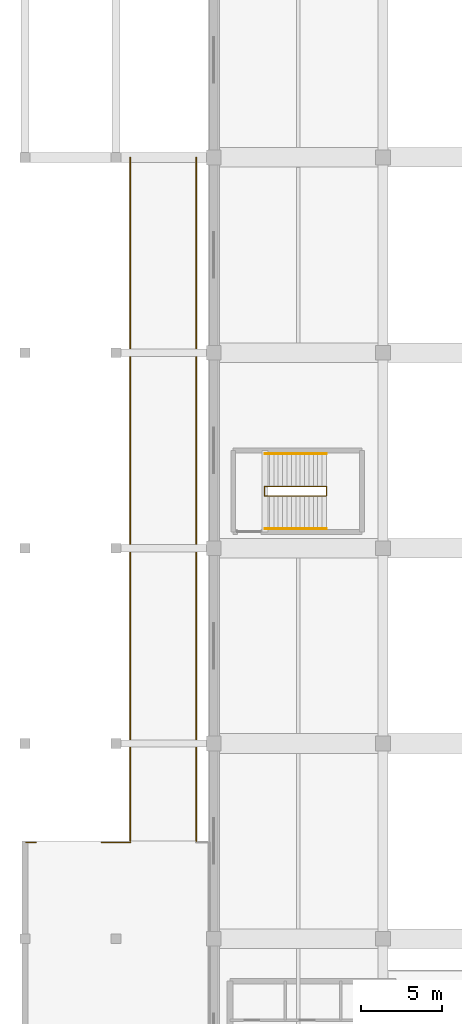
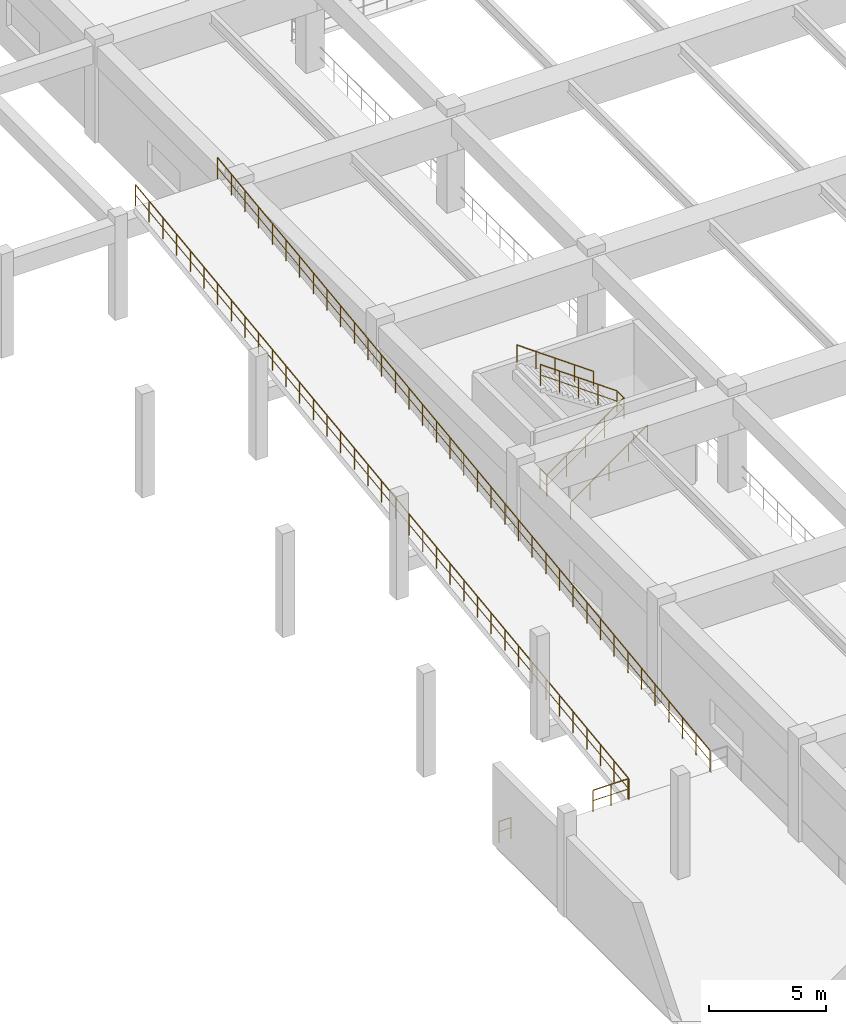
# One storey, part 190 of 197: 8 railings.
"""IFC4 building model written with IfcOpenShell, lengths in metres."""

from ifc_helpers import new_model, si_unit, derived_unit, direction, frame, origin, origin_2d, place, context, subcontext, project, spatial, circle, extrude, material, type_object, element, save


model = new_model("IFC4")

# Units and contexts
model_context = context("Model", 3, precision=1e-05, world=origin(), true_north=direction((0.0, 1.0)))
body_context = subcontext(model_context, "Body", "Model", "MODEL_VIEW")
ifc_project = project(units=[si_unit("LENGTHUNIT", "METRE"), si_unit("AREAUNIT", "SQUARE_METRE"), si_unit("VOLUMEUNIT", "CUBIC_METRE"), si_unit("PLANEANGLEUNIT", "RADIAN"), si_unit("MASSUNIT", "GRAM", prefix="KILO"), derived_unit("THERMALTRANSMITTANCEUNIT", [(si_unit("POWERUNIT", "WATT"), 1), (si_unit("LENGTHUNIT", "METRE"), -2), (si_unit("THERMODYNAMICTEMPERATUREUNIT", "KELVIN"), -1)])], contexts=[model_context])

# Site, building, storey
site_placement = place(None, origin())
site = spatial("IfcSite", under=ifc_project, at=site_placement, CompositionType="ELEMENT")
building_placement = place(site_placement, origin())
building = spatial("IfcBuilding", under=site, at=building_placement, Name="Almenara Railside Exhibition Hall", CompositionType="ELEMENT")
storey_placement = place(building_placement, frame((0.0, 0.0, 5.39990234375)))
storey = spatial("IfcBuildingStorey", under=building, at=storey_placement, Name="L01", CompositionType="ELEMENT", Elevation=5.39990234375)

# Railings
ifc_material_1 = material(Name="Bronze-finished tubular steel handrail", Category="steel")
railing_type_1 = type_object("IfcRailingType", Name="Stair Pitch Handrail 920mm", PredefinedType="HANDRAIL", material=ifc_material_1)
railing_1_placement = place(storey_placement, frame((15.14990234375, 85.199951171875, 0.0)))
element("IfcRailing", 1, at=railing_1_placement, inside=storey, type_object=railing_type_1, Name="HR-L01-0089", PredefinedType="HANDRAIL", context=body_context, shape_type="SweptSolid", body=[
    extrude(circle(Radius=0.02392578125, at=origin_2d()), frame((0.0, 0.0, 0.89599609375), z_axis=(0.813715715614, 0.0, 0.581263050746), x_axis=(0.0, 1.0, 0.0)), (0.0, 0.0, 1.0), 4.6455078125),
    extrude(circle(Radius=0.02099609375, at=origin_2d()), origin(), (0.0, 0.0, 1.0), 0.871826171875),
    extrude(circle(Radius=0.02099609375, at=origin_2d()), frame((0.945068359375, 0.0, 0.675048828125)), (0.0, 0.0, 1.0), 0.871826171875),
    extrude(circle(Radius=0.02099609375, at=origin_2d()), frame((1.89013671875, 0.0, 1.35009765625)), (0.0, 0.0, 1.0), 0.871826171875),
    extrude(circle(Radius=0.02099609375, at=origin_2d()), frame((2.8349609375, 0.0, 2.025146484375)), (0.0, 0.0, 1.0), 0.871826171875),
    extrude(circle(Radius=0.02099609375, at=origin_2d()), frame((3.780029296875, 0.0, 2.7001953125)), (0.0, 0.0, 1.0), 0.871826171875),
])
railing_2_placement = place(storey_placement, frame((18.929931640625, 89.800048828125, 2.7001953125)))
element("IfcRailing", 2, at=railing_2_placement, inside=storey, type_object=railing_type_1, Name="HR-L01-0090", PredefinedType="HANDRAIL", context=body_context, shape_type="SweptSolid", body=[
    extrude(circle(Radius=0.02392578125, at=origin_2d()), frame((0.0, 0.0, 0.89599609375), z_axis=(-0.813740573448, 0.0, 0.581228250453), x_axis=(0.0, -1.0, 0.0)), (0.0, 0.0, 1.0), 4.645263671875),
    extrude(circle(Radius=0.02099609375, at=origin_2d()), origin(), (0.0, 0.0, 1.0), 0.871826171875),
    extrude(circle(Radius=0.02099609375, at=origin_2d()), frame((-0.945068359375, 0.0, 0.675048828125)), (0.0, 0.0, 1.0), 0.871826171875),
    extrude(circle(Radius=0.02099609375, at=origin_2d()), frame((-1.89013671875, 0.0, 1.35009765625)), (0.0, 0.0, 1.0), 0.871826171875),
    extrude(circle(Radius=0.02099609375, at=origin_2d()), frame((-2.8349609375, 0.0, 2.02490234375)), (0.0, 0.0, 1.0), 0.871826171875),
    extrude(circle(Radius=0.02099609375, at=origin_2d()), frame((-3.780029296875, 0.0, 2.699951171875)), (0.0, 0.0, 1.0), 0.871826171875),
])
ifc_material_2 = material(Name="Dark wrought-iron stair balustrade")
railing_type_2 = type_object("IfcRailingType", Name="Stair Well Guard Rail 1120mm", PredefinedType="BALUSTRADE", material=ifc_material_2)
railing_3_placement = place(storey_placement, frame((15.1201171875, 87.2099609375, 0.0)))
element("IfcRailing", 3, at=railing_3_placement, inside=storey, type_object=railing_type_2, Name="SG-L01-0088", PredefinedType="BALUSTRADE", context=body_context, shape_type="SweptSolid", body=[
    extrude(circle(Radius=0.02392578125, at=origin_2d()), frame((0.0, 0.0, 1.09619140625), z_axis=(0.0, 1.0, 0.0), x_axis=(-1.0, 0.0, 0.0)), (0.0, 0.0, 1.0), 0.580078125),
    extrude(circle(Radius=0.01416015625, at=origin_2d()), frame((0.0, 0.0, 0.56005859375), z_axis=(0.0, 1.0, 0.0), x_axis=(-1.0, 0.0, 0.0)), (0.0, 0.0, 1.0), 0.580078125),
    extrude(circle(Radius=0.02099609375, at=origin_2d()), origin(), (0.0, 0.0, 1.0), 1.072021484375),
    extrude(circle(Radius=0.02099609375, at=origin_2d()), frame((0.0, 0.580078125, 0.0)), (0.0, 0.0, 1.0), 1.072021484375),
])
railing_4_placement = place(storey_placement, frame((15.14990234375, 87.2099609375, 0.0)))
element("IfcRailing", 4, at=railing_4_placement, inside=storey, type_object=railing_type_2, Name="SG-L01-0091", PredefinedType="BALUSTRADE", context=body_context, shape_type="SweptSolid", body=[
    extrude(circle(Radius=0.02392578125, at=origin_2d()), frame((0.0, 0.0, 1.09619140625), z_axis=(0.813715715614, 0.0, 0.581263050746), x_axis=(0.0, 1.0, 0.0)), (0.0, 0.0, 1.0), 4.6455078125),
    extrude(circle(Radius=0.01416015625, at=origin_2d()), frame((0.0, 0.0, 0.56005859375), z_axis=(0.813715715614, 0.0, 0.581263050746), x_axis=(0.0, 1.0, 0.0)), (0.0, 0.0, 1.0), 4.6455078125),
    extrude(circle(Radius=0.02392578125, at=origin_2d()), frame((3.780029296875, 0.0, 3.79638671875), z_axis=(0.0, 1.0, 0.0), x_axis=(-1.0, 0.0, 0.0)), (0.0, 0.0, 1.0), 0.580078125),
    extrude(circle(Radius=0.01416015625, at=origin_2d()), frame((3.780029296875, 0.0, 3.26025390625), z_axis=(0.0, 1.0, 0.0), x_axis=(-1.0, 0.0, 0.0)), (0.0, 0.0, 1.0), 0.580078125),
    extrude(circle(Radius=0.02392578125, at=origin_2d()), frame((3.780029296875, 0.580078125, 3.79638671875), z_axis=(-0.813740573448, 0.0, 0.581228250453), x_axis=(0.0, -1.0, 0.0)), (0.0, 0.0, 1.0), 4.645263671875),
    extrude(circle(Radius=0.01416015625, at=origin_2d()), frame((3.780029296875, 0.580078125, 3.26025390625), z_axis=(-0.813740573448, 0.0, 0.581228250453), x_axis=(0.0, -1.0, 0.0)), (0.0, 0.0, 1.0), 4.645263671875),
    extrude(circle(Radius=0.02099609375, at=origin_2d()), origin(), (0.0, 0.0, 1.0), 1.072021484375),
    extrude(circle(Radius=0.02099609375, at=origin_2d()), frame((0.945068359375, 0.0, 0.675048828125)), (0.0, 0.0, 1.0), 1.072021484375),
    extrude(circle(Radius=0.02099609375, at=origin_2d()), frame((1.89013671875, 0.0, 1.35009765625)), (0.0, 0.0, 1.0), 1.072021484375),
    extrude(circle(Radius=0.02099609375, at=origin_2d()), frame((2.8349609375, 0.0, 2.025146484375)), (0.0, 0.0, 1.0), 1.072021484375),
    extrude(circle(Radius=0.02099609375, at=origin_2d()), frame((3.780029296875, 0.0, 2.7001953125)), (0.0, 0.0, 1.0), 1.072021484375),
    extrude(circle(Radius=0.02099609375, at=origin_2d()), frame((3.780029296875, 0.580078125, 2.7001953125)), (0.0, 0.0, 1.0), 1.072021484375),
    extrude(circle(Radius=0.02099609375, at=origin_2d()), frame((2.8349609375, 0.580078125, 3.375244140625)), (0.0, 0.0, 1.0), 1.072021484375),
    extrude(circle(Radius=0.02099609375, at=origin_2d()), frame((1.89013671875, 0.580078125, 4.05029296875)), (0.0, 0.0, 1.0), 1.072021484375),
    extrude(circle(Radius=0.02099609375, at=origin_2d()), frame((0.945068359375, 0.580078125, 4.72509765625)), (0.0, 0.0, 1.0), 1.072021484375),
    extrude(circle(Radius=0.02099609375, at=origin_2d()), frame((0.0, 0.580078125, 5.400146484375)), (0.0, 0.0, 1.0), 1.072021484375),
])
ifc_material_3 = material(Name="Dark wrought-iron architectural balustrade")
railing_type_3 = type_object("IfcRailingType", Name="Wrought-Iron Rejas Terrace Balustrade 1120mm", PredefinedType="BALUSTRADE", material=ifc_material_3)
railing_5_placement = place(storey_placement, frame((6.8798828125, 66.0, 0.0)))
element("IfcRailing", 5, at=railing_5_placement, inside=storey, type_object=railing_type_3, Name="Guard balustrade 0008", PredefinedType="BALUSTRADE", context=body_context, shape_type="SweptSolid", body=[
    extrude(circle(Radius=0.02392578125, at=origin_2d()), frame((0.0, 0.0, 1.09619140625), z_axis=(0.0, 0.991835337774, 0.127525145532), x_axis=(-1.0, 0.0, 0.0)), (0.0, 0.0, 1.0), 42.345703125),
    extrude(circle(Radius=0.01416015625, at=origin_2d()), frame((0.0, 0.0, 0.56005859375), z_axis=(0.0, 0.991835337774, 0.127525145532), x_axis=(-1.0, 0.0, 0.0)), (0.0, 0.0, 1.0), 42.345703125),
    extrude(circle(Radius=0.02099609375, at=origin_2d()), origin(), (0.0, 0.0, 1.0), 1.072021484375),
    extrude(circle(Radius=0.02099609375, at=origin_2d()), frame((0.0, 1.166748046875, 0.14990234375)), (0.0, 0.0, 1.0), 1.072021484375),
    extrude(circle(Radius=0.02099609375, at=origin_2d()), frame((0.0, 2.333251953125, 0.300048828125)), (0.0, 0.0, 1.0), 1.072021484375),
    extrude(circle(Radius=0.02099609375, at=origin_2d()), frame((0.0, 3.5, 0.449951171875)), (0.0, 0.0, 1.0), 1.072021484375),
    extrude(circle(Radius=0.02099609375, at=origin_2d()), frame((0.0, 4.666748046875, 0.60009765625)), (0.0, 0.0, 1.0), 1.072021484375),
    extrude(circle(Radius=0.02099609375, at=origin_2d()), frame((0.0, 5.833251953125, 0.75)), (0.0, 0.0, 1.0), 1.072021484375),
    extrude(circle(Radius=0.02099609375, at=origin_2d()), frame((0.0, 7.0, 0.89990234375)), (0.0, 0.0, 1.0), 1.072021484375),
    extrude(circle(Radius=0.02099609375, at=origin_2d()), frame((0.0, 8.166748046875, 1.050048828125)), (0.0, 0.0, 1.0), 1.072021484375),
    extrude(circle(Radius=0.02099609375, at=origin_2d()), frame((0.0, 9.333251953125, 1.199951171875)), (0.0, 0.0, 1.0), 1.072021484375),
    extrude(circle(Radius=0.02099609375, at=origin_2d()), frame((0.0, 10.5, 1.35009765625)), (0.0, 0.0, 1.0), 1.072021484375),
    extrude(circle(Radius=0.02099609375, at=origin_2d()), frame((0.0, 11.666748046875, 1.5)), (0.0, 0.0, 1.0), 1.072021484375),
    extrude(circle(Radius=0.02099609375, at=origin_2d()), frame((0.0, 12.833251953125, 1.650146484375)), (0.0, 0.0, 1.0), 1.072021484375),
    extrude(circle(Radius=0.02099609375, at=origin_2d()), frame((0.0, 14.0, 1.800048828125)), (0.0, 0.0, 1.0), 1.072021484375),
    extrude(circle(Radius=0.02099609375, at=origin_2d()), frame((0.0, 15.166748046875, 1.949951171875)), (0.0, 0.0, 1.0), 1.072021484375),
    extrude(circle(Radius=0.02099609375, at=origin_2d()), frame((0.0, 16.333251953125, 2.10009765625)), (0.0, 0.0, 1.0), 1.072021484375),
    extrude(circle(Radius=0.02099609375, at=origin_2d()), frame((0.0, 17.5, 2.25)), (0.0, 0.0, 1.0), 1.072021484375),
    extrude(circle(Radius=0.02099609375, at=origin_2d()), frame((0.0, 18.666748046875, 2.400146484375)), (0.0, 0.0, 1.0), 1.072021484375),
    extrude(circle(Radius=0.02099609375, at=origin_2d()), frame((0.0, 19.833251953125, 2.550048828125)), (0.0, 0.0, 1.0), 1.072021484375),
    extrude(circle(Radius=0.02099609375, at=origin_2d()), frame((0.0, 21.0, 2.7001953125)), (0.0, 0.0, 1.0), 1.072021484375),
    extrude(circle(Radius=0.02099609375, at=origin_2d()), frame((0.0, 22.166748046875, 2.85009765625)), (0.0, 0.0, 1.0), 1.072021484375),
    extrude(circle(Radius=0.02099609375, at=origin_2d()), frame((0.0, 23.333251953125, 3.0)), (0.0, 0.0, 1.0), 1.072021484375),
    extrude(circle(Radius=0.02099609375, at=origin_2d()), frame((0.0, 24.5, 3.150146484375)), (0.0, 0.0, 1.0), 1.072021484375),
    extrude(circle(Radius=0.02099609375, at=origin_2d()), frame((0.0, 25.666748046875, 3.300048828125)), (0.0, 0.0, 1.0), 1.072021484375),
    extrude(circle(Radius=0.02099609375, at=origin_2d()), frame((0.0, 26.833251953125, 3.4501953125)), (0.0, 0.0, 1.0), 1.072021484375),
    extrude(circle(Radius=0.02099609375, at=origin_2d()), frame((0.0, 28.0, 3.60009765625)), (0.0, 0.0, 1.0), 1.072021484375),
    extrude(circle(Radius=0.02099609375, at=origin_2d()), frame((0.0, 29.166748046875, 3.75)), (0.0, 0.0, 1.0), 1.072021484375),
    extrude(circle(Radius=0.02099609375, at=origin_2d()), frame((0.0, 30.333251953125, 3.900146484375)), (0.0, 0.0, 1.0), 1.072021484375),
    extrude(circle(Radius=0.02099609375, at=origin_2d()), frame((0.0, 31.5, 4.050048828125)), (0.0, 0.0, 1.0), 1.072021484375),
    extrude(circle(Radius=0.02099609375, at=origin_2d()), frame((0.0, 32.666748046875, 4.2001953125)), (0.0, 0.0, 1.0), 1.072021484375),
    extrude(circle(Radius=0.02099609375, at=origin_2d()), frame((0.0, 33.833251953125, 4.35009765625)), (0.0, 0.0, 1.0), 1.072021484375),
    extrude(circle(Radius=0.02099609375, at=origin_2d()), frame((0.0, 35.0, 4.5)), (0.0, 0.0, 1.0), 1.072021484375),
    extrude(circle(Radius=0.02099609375, at=origin_2d()), frame((0.0, 36.166748046875, 4.650146484375)), (0.0, 0.0, 1.0), 1.072021484375),
    extrude(circle(Radius=0.02099609375, at=origin_2d()), frame((0.0, 37.333251953125, 4.800048828125)), (0.0, 0.0, 1.0), 1.072021484375),
    extrude(circle(Radius=0.02099609375, at=origin_2d()), frame((0.0, 38.5, 4.9501953125)), (0.0, 0.0, 1.0), 1.072021484375),
    extrude(circle(Radius=0.02099609375, at=origin_2d()), frame((0.0, 39.666748046875, 5.10009765625)), (0.0, 0.0, 1.0), 1.072021484375),
    extrude(circle(Radius=0.02099609375, at=origin_2d()), frame((0.0, 40.833251953125, 5.250244140625)), (0.0, 0.0, 1.0), 1.072021484375),
    extrude(circle(Radius=0.02099609375, at=origin_2d()), frame((0.0, 42.0, 5.400146484375)), (0.0, 0.0, 1.0), 1.072021484375),
])
railing_6_placement = place(storey_placement, frame((10.919921875, 66.0, 0.0)))
element("IfcRailing", 6, at=railing_6_placement, inside=storey, type_object=railing_type_3, Name="Guard balustrade 0009", PredefinedType="BALUSTRADE", context=body_context, shape_type="SweptSolid", body=[
    extrude(circle(Radius=0.02392578125, at=origin_2d()), frame((0.0, 0.0, 1.09619140625), z_axis=(0.0, 0.991835337774, 0.127525145532), x_axis=(-1.0, 0.0, 0.0)), (0.0, 0.0, 1.0), 42.345703125),
    extrude(circle(Radius=0.01416015625, at=origin_2d()), frame((0.0, 0.0, 0.56005859375), z_axis=(0.0, 0.991835337774, 0.127525145532), x_axis=(-1.0, 0.0, 0.0)), (0.0, 0.0, 1.0), 42.345703125),
    extrude(circle(Radius=0.02099609375, at=origin_2d()), origin(), (0.0, 0.0, 1.0), 1.072021484375),
    extrude(circle(Radius=0.02099609375, at=origin_2d()), frame((0.0, 1.166748046875, 0.14990234375)), (0.0, 0.0, 1.0), 1.072021484375),
    extrude(circle(Radius=0.02099609375, at=origin_2d()), frame((0.0, 2.333251953125, 0.300048828125)), (0.0, 0.0, 1.0), 1.072021484375),
    extrude(circle(Radius=0.02099609375, at=origin_2d()), frame((0.0, 3.5, 0.449951171875)), (0.0, 0.0, 1.0), 1.072021484375),
    extrude(circle(Radius=0.02099609375, at=origin_2d()), frame((0.0, 4.666748046875, 0.60009765625)), (0.0, 0.0, 1.0), 1.072021484375),
    extrude(circle(Radius=0.02099609375, at=origin_2d()), frame((0.0, 5.833251953125, 0.75)), (0.0, 0.0, 1.0), 1.072021484375),
    extrude(circle(Radius=0.02099609375, at=origin_2d()), frame((0.0, 7.0, 0.89990234375)), (0.0, 0.0, 1.0), 1.072021484375),
    extrude(circle(Radius=0.02099609375, at=origin_2d()), frame((0.0, 8.166748046875, 1.050048828125)), (0.0, 0.0, 1.0), 1.072021484375),
    extrude(circle(Radius=0.02099609375, at=origin_2d()), frame((0.0, 9.333251953125, 1.199951171875)), (0.0, 0.0, 1.0), 1.072021484375),
    extrude(circle(Radius=0.02099609375, at=origin_2d()), frame((0.0, 10.5, 1.35009765625)), (0.0, 0.0, 1.0), 1.072021484375),
    extrude(circle(Radius=0.02099609375, at=origin_2d()), frame((0.0, 11.666748046875, 1.5)), (0.0, 0.0, 1.0), 1.072021484375),
    extrude(circle(Radius=0.02099609375, at=origin_2d()), frame((0.0, 12.833251953125, 1.650146484375)), (0.0, 0.0, 1.0), 1.072021484375),
    extrude(circle(Radius=0.02099609375, at=origin_2d()), frame((0.0, 14.0, 1.800048828125)), (0.0, 0.0, 1.0), 1.072021484375),
    extrude(circle(Radius=0.02099609375, at=origin_2d()), frame((0.0, 15.166748046875, 1.949951171875)), (0.0, 0.0, 1.0), 1.072021484375),
    extrude(circle(Radius=0.02099609375, at=origin_2d()), frame((0.0, 16.333251953125, 2.10009765625)), (0.0, 0.0, 1.0), 1.072021484375),
    extrude(circle(Radius=0.02099609375, at=origin_2d()), frame((0.0, 17.5, 2.25)), (0.0, 0.0, 1.0), 1.072021484375),
    extrude(circle(Radius=0.02099609375, at=origin_2d()), frame((0.0, 18.666748046875, 2.400146484375)), (0.0, 0.0, 1.0), 1.072021484375),
    extrude(circle(Radius=0.02099609375, at=origin_2d()), frame((0.0, 19.833251953125, 2.550048828125)), (0.0, 0.0, 1.0), 1.072021484375),
    extrude(circle(Radius=0.02099609375, at=origin_2d()), frame((0.0, 21.0, 2.7001953125)), (0.0, 0.0, 1.0), 1.072021484375),
    extrude(circle(Radius=0.02099609375, at=origin_2d()), frame((0.0, 22.166748046875, 2.85009765625)), (0.0, 0.0, 1.0), 1.072021484375),
    extrude(circle(Radius=0.02099609375, at=origin_2d()), frame((0.0, 23.333251953125, 3.0)), (0.0, 0.0, 1.0), 1.072021484375),
    extrude(circle(Radius=0.02099609375, at=origin_2d()), frame((0.0, 24.5, 3.150146484375)), (0.0, 0.0, 1.0), 1.072021484375),
    extrude(circle(Radius=0.02099609375, at=origin_2d()), frame((0.0, 25.666748046875, 3.300048828125)), (0.0, 0.0, 1.0), 1.072021484375),
    extrude(circle(Radius=0.02099609375, at=origin_2d()), frame((0.0, 26.833251953125, 3.4501953125)), (0.0, 0.0, 1.0), 1.072021484375),
    extrude(circle(Radius=0.02099609375, at=origin_2d()), frame((0.0, 28.0, 3.60009765625)), (0.0, 0.0, 1.0), 1.072021484375),
    extrude(circle(Radius=0.02099609375, at=origin_2d()), frame((0.0, 29.166748046875, 3.75)), (0.0, 0.0, 1.0), 1.072021484375),
    extrude(circle(Radius=0.02099609375, at=origin_2d()), frame((0.0, 30.333251953125, 3.900146484375)), (0.0, 0.0, 1.0), 1.072021484375),
    extrude(circle(Radius=0.02099609375, at=origin_2d()), frame((0.0, 31.5, 4.050048828125)), (0.0, 0.0, 1.0), 1.072021484375),
    extrude(circle(Radius=0.02099609375, at=origin_2d()), frame((0.0, 32.666748046875, 4.2001953125)), (0.0, 0.0, 1.0), 1.072021484375),
    extrude(circle(Radius=0.02099609375, at=origin_2d()), frame((0.0, 33.833251953125, 4.35009765625)), (0.0, 0.0, 1.0), 1.072021484375),
    extrude(circle(Radius=0.02099609375, at=origin_2d()), frame((0.0, 35.0, 4.5)), (0.0, 0.0, 1.0), 1.072021484375),
    extrude(circle(Radius=0.02099609375, at=origin_2d()), frame((0.0, 36.166748046875, 4.650146484375)), (0.0, 0.0, 1.0), 1.072021484375),
    extrude(circle(Radius=0.02099609375, at=origin_2d()), frame((0.0, 37.333251953125, 4.800048828125)), (0.0, 0.0, 1.0), 1.072021484375),
    extrude(circle(Radius=0.02099609375, at=origin_2d()), frame((0.0, 38.5, 4.9501953125)), (0.0, 0.0, 1.0), 1.072021484375),
    extrude(circle(Radius=0.02099609375, at=origin_2d()), frame((0.0, 39.666748046875, 5.10009765625)), (0.0, 0.0, 1.0), 1.072021484375),
    extrude(circle(Radius=0.02099609375, at=origin_2d()), frame((0.0, 40.833251953125, 5.250244140625)), (0.0, 0.0, 1.0), 1.072021484375),
    extrude(circle(Radius=0.02099609375, at=origin_2d()), frame((0.0, 42.0, 5.400146484375)), (0.0, 0.0, 1.0), 1.072021484375),
])
railing_7_placement = place(storey_placement, frame((0.47998046875, 65.919921875, 0.0)))
element("IfcRailing", 7, at=railing_7_placement, inside=storey, type_object=railing_type_3, Name="Guard balustrade 0010", PredefinedType="BALUSTRADE", context=body_context, shape_type="SweptSolid", body=[
    extrude(circle(Radius=0.02392578125, at=origin_2d()), frame((0.0, 0.0, 1.09619140625), z_axis=(1.0, 0.0, 0.0), x_axis=(0.0, 1.0, 0.0)), (0.0, 0.0, 1.0), 0.60009765625),
    extrude(circle(Radius=0.01416015625, at=origin_2d()), frame((0.0, 0.0, 0.56005859375), z_axis=(1.0, 0.0, 0.0), x_axis=(0.0, 1.0, 0.0)), (0.0, 0.0, 1.0), 0.60009765625),
    extrude(circle(Radius=0.02099609375, at=origin_2d()), origin(), (0.0, 0.0, 1.0), 1.072021484375),
    extrude(circle(Radius=0.02099609375, at=origin_2d()), frame((0.60009765625, 0.0, 0.0)), (0.0, 0.0, 1.0), 1.072021484375),
])
railing_8_placement = place(storey_placement, frame((5.1201171875, 65.919921875, 0.0)))
element("IfcRailing", 8, at=railing_8_placement, inside=storey, type_object=railing_type_3, Name="Guard balustrade 0011", PredefinedType="BALUSTRADE", context=body_context, shape_type="SweptSolid", body=[
    extrude(circle(Radius=0.02392578125, at=origin_2d()), frame((0.0, 0.0, 1.09619140625), z_axis=(1.0, 0.0, 0.0), x_axis=(0.0, 1.0, 0.0)), (0.0, 0.0, 1.0), 1.759765625),
    extrude(circle(Radius=0.01416015625, at=origin_2d()), frame((0.0, 0.0, 0.56005859375), z_axis=(1.0, 0.0, 0.0), x_axis=(0.0, 1.0, 0.0)), (0.0, 0.0, 1.0), 1.759765625),
    extrude(circle(Radius=0.02099609375, at=origin_2d()), origin(), (0.0, 0.0, 1.0), 1.072021484375),
    extrude(circle(Radius=0.02099609375, at=origin_2d()), frame((0.8798828125, 0.0, 0.0)), (0.0, 0.0, 1.0), 1.072021484375),
    extrude(circle(Radius=0.02099609375, at=origin_2d()), frame((1.759765625, 0.0, 0.0)), (0.0, 0.0, 1.0), 1.072021484375),
])

save(model, "model.ifc")
